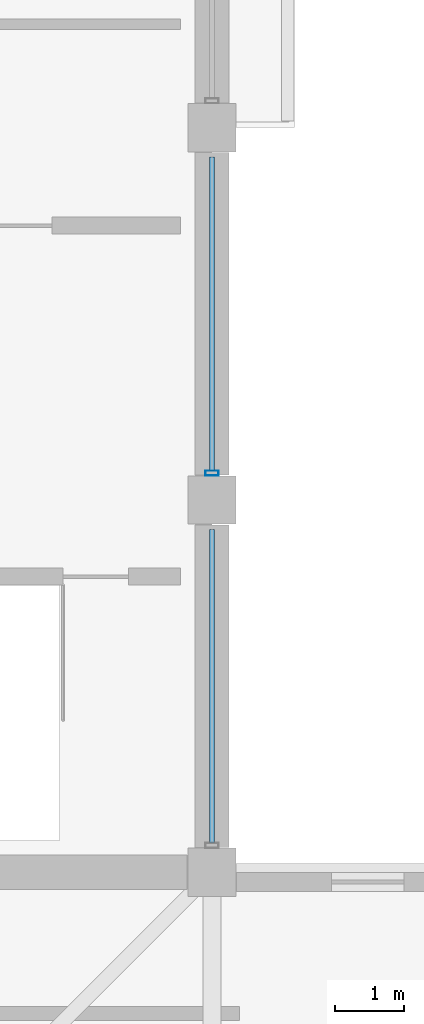
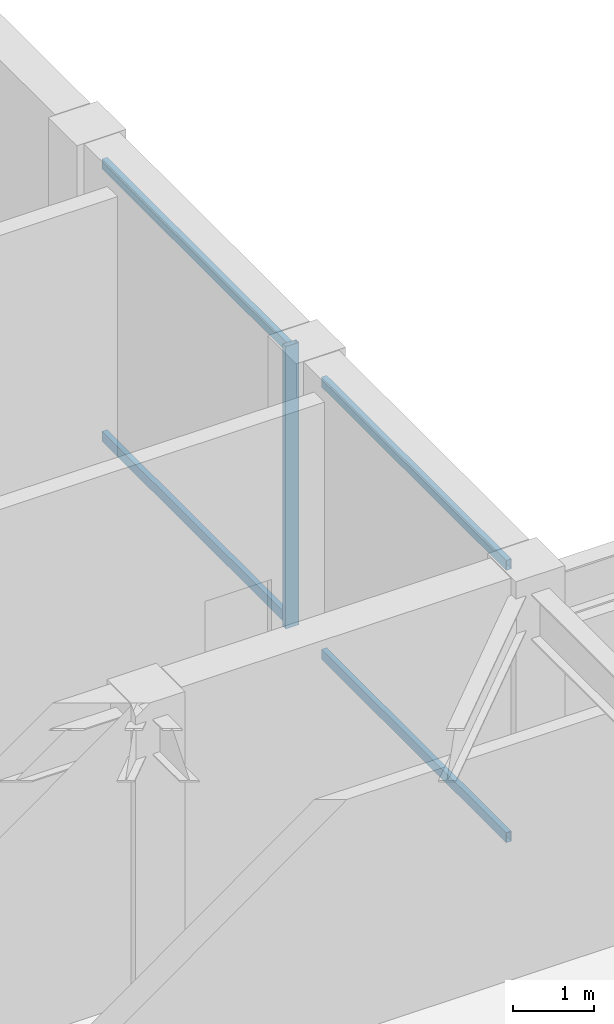
# One storey, part 6 of 18: 5 members, 1 element without a shape of its own.
"""IFC4 building model written with IfcOpenShell, lengths in metres."""

from ifc_helpers import new_model, si_unit, direction, frame, origin, origin_2d, place, context, subcontext, project, spatial, hollow_rectangle, extrude, material, layer, layer_set, material_profile, profile_set, type_object, element, aggregate, save


model = new_model("IFC4")

# Units and contexts
model_context = context("Model", 3, precision=1e-05, world=origin(), true_north=direction((0.0, 1.0)))
body_context = subcontext(model_context, "Body", "Model", "MODEL_VIEW")
ifc_project = project(units=[si_unit("LENGTHUNIT", "METRE"), si_unit("AREAUNIT", "SQUARE_METRE"), si_unit("VOLUMEUNIT", "CUBIC_METRE"), si_unit("PLANEANGLEUNIT", "RADIAN"), si_unit("MASSUNIT", "GRAM", prefix="KILO")], contexts=[model_context])

# Site, building, storey
site_placement = place(None, origin())
site = spatial("IfcSite", under=ifc_project, at=site_placement, CompositionType="ELEMENT")
building_placement = place(site_placement, origin())
building = spatial("IfcBuilding", under=site, at=building_placement, Name="Surkhivell Harbour Commons", CompositionType="ELEMENT")
storey_placement = place(building_placement, frame((0.0, 0.0, 360.0)))
storey = spatial("IfcBuildingStorey", under=building, at=storey_placement, Name="L93", CompositionType="ELEMENT", Elevation=360.0)

# Curtain wall, members
ifc_material_1 = material(Name="Anodised pale-metal aluminium and insulated glazing", Category="aluminium")
ifc_layer = layer(ifc_material_1, 0.22998046875)
ifc_layer_set = layer_set([ifc_layer], Name="Anodised pale-metal aluminium and insulated glazing")
curtain_wall_type = type_object("IfcCurtainWallType", Name="CW-SYS-CRN", PredefinedType="NOTDEFINED", material=ifc_layer_set)
curtain_wall_placement = place(storey_placement, origin())
curtain_wall = element("IfcCurtainWall", 1, at=curtain_wall_placement, inside=storey, type_object=curtain_wall_type, Name="L93 Curtain Wall CW-L93-C01S1", PredefinedType="NOTDEFINED")
ifc_material_2 = material(Name="Anodised pale-metal aluminium alloy 6063-T6", Category="aluminium")
ifc_material_profile_1 = material_profile(ifc_material_2, hollow_rectangle(XDim=0.074951171875, YDim=0.18994140625, WallThickness=0.00390625, at=origin_2d()), Name="ALU-MULL-75x190")
ifc_profile_set_1 = profile_set([ifc_material_profile_1], Name="Anodised pale-metal aluminium alloy 6063-T6")
member_type_1 = type_object("IfcMemberType", Name="CWM-190", PredefinedType="MULLION", material=ifc_profile_set_1)
member_1_placement = place(storey_placement, frame((10.800048828125, -5.010498046875, 0.0), z_axis=(0.0, 0.0, 1.0), x_axis=(0.0, 1.0, 0.0)))
member_1 = element("IfcMember", 2, at=member_1_placement, type_object=member_type_1, Name="CW-CRN mullion 2", PredefinedType="MULLION", context=body_context, shape_type="SweptSolid", body=[
    extrude(hollow_rectangle(XDim=0.074951171875, YDim=0.18994140625, WallThickness=0.00390625, at=origin_2d()), origin(), (0.0, 0.0, 1.0), 4.239990234375),
])
ifc_material_profile_2 = material_profile(ifc_material_2, hollow_rectangle(XDim=0.074951171875, YDim=0.14990234375, WallThickness=0.00341796875, at=origin_2d()), Name="ALU-TRAN-75x150")
ifc_profile_set_2 = profile_set([ifc_material_profile_2], Name="Anodised pale-metal aluminium alloy 6063-T6")
member_type_2 = type_object("IfcMemberType", Name="CWT-150", PredefinedType="USERDEFINED", material=ifc_profile_set_2)
member_2_placement = place(storey_placement, frame((10.800048828125, -10.373046875, 0.074951171875), z_axis=(0.0, 1.0, 0.0), x_axis=(-1.0, 0.0, 0.0)))
member_2 = element("IfcMember", 3, at=member_2_placement, type_object=member_type_2, Name="CW-CRN transom 1.1", ObjectType="TRANSOM", PredefinedType="USERDEFINED", context=body_context, shape_type="SweptSolid", body=[
    extrude(hollow_rectangle(XDim=0.074951171875, YDim=0.14990234375, WallThickness=0.00341796875, at=origin_2d()), origin(), (0.0, 0.0, 1.0), 4.546142578125),
])
member_3_placement = place(storey_placement, frame((10.800048828125, -10.373046875, 4.1650390625), z_axis=(0.0, 1.0, 0.0), x_axis=(-1.0, 0.0, 0.0)))
member_3 = element("IfcMember", 4, at=member_3_placement, type_object=member_type_2, Name="CW-CRN transom 1.2", ObjectType="TRANSOM", PredefinedType="USERDEFINED", context=body_context, shape_type="SweptSolid", body=[
    extrude(hollow_rectangle(XDim=0.074951171875, YDim=0.14990234375, WallThickness=0.00341796875, at=origin_2d()), origin(), (0.0, 0.0, 1.0), 4.546142578125),
])
member_4_placement = place(storey_placement, frame((10.800048828125, -4.972900390625, 0.074951171875), z_axis=(0.0, 1.0, 0.0), x_axis=(-1.0, 0.0, 0.0)))
member_4 = element("IfcMember", 5, at=member_4_placement, type_object=member_type_2, Name="CW-CRN transom 2.1", ObjectType="TRANSOM", PredefinedType="USERDEFINED", context=body_context, shape_type="SweptSolid", body=[
    extrude(hollow_rectangle(XDim=0.074951171875, YDim=0.14990234375, WallThickness=0.00341796875, at=origin_2d()), origin(), (0.0, 0.0, 1.0), 4.5458984375),
])
member_5_placement = place(storey_placement, frame((10.800048828125, -4.972900390625, 4.1650390625), z_axis=(0.0, 1.0, 0.0), x_axis=(-1.0, 0.0, 0.0)))
member_5 = element("IfcMember", 6, at=member_5_placement, type_object=member_type_2, Name="CW-CRN transom 2.2", ObjectType="TRANSOM", PredefinedType="USERDEFINED", context=body_context, shape_type="SweptSolid", body=[
    extrude(hollow_rectangle(XDim=0.074951171875, YDim=0.14990234375, WallThickness=0.00341796875, at=origin_2d()), origin(), (0.0, 0.0, 1.0), 4.5458984375),
])
aggregate(curtain_wall, [member_2, member_3, member_1, member_4, member_5])

save(model, "model.ifc")
